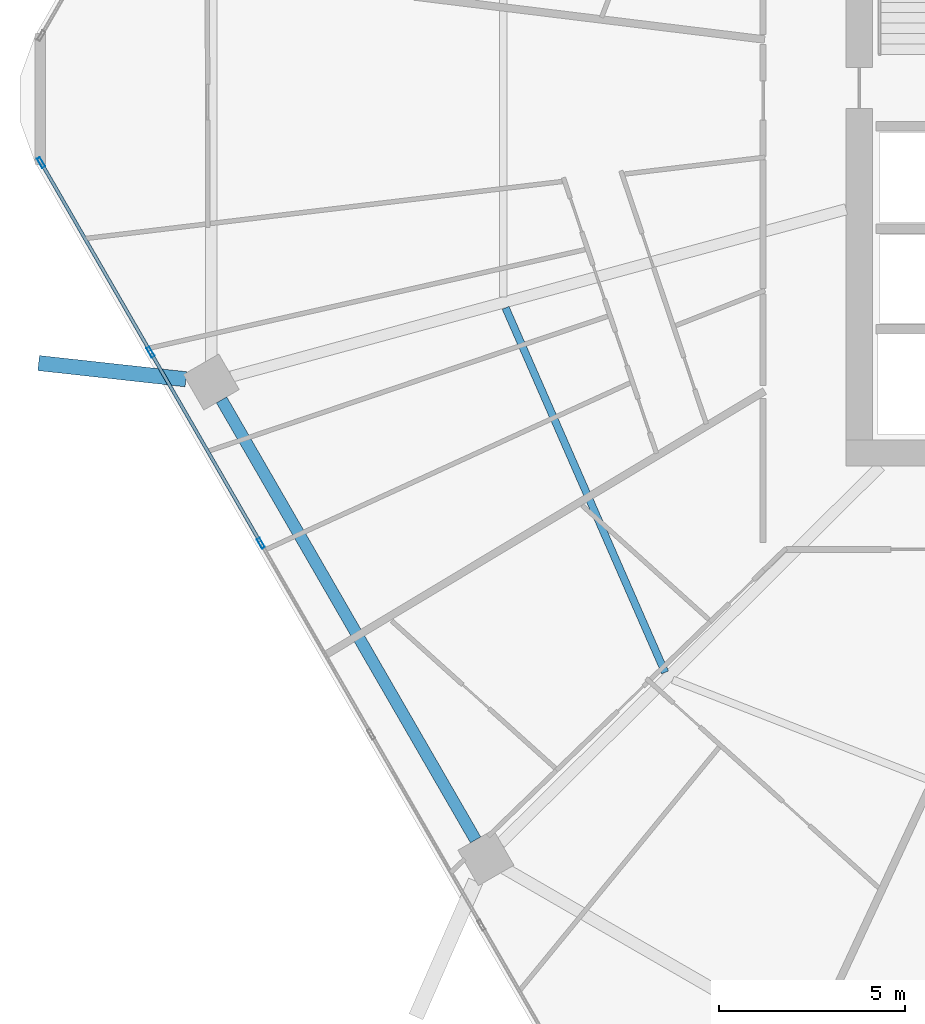
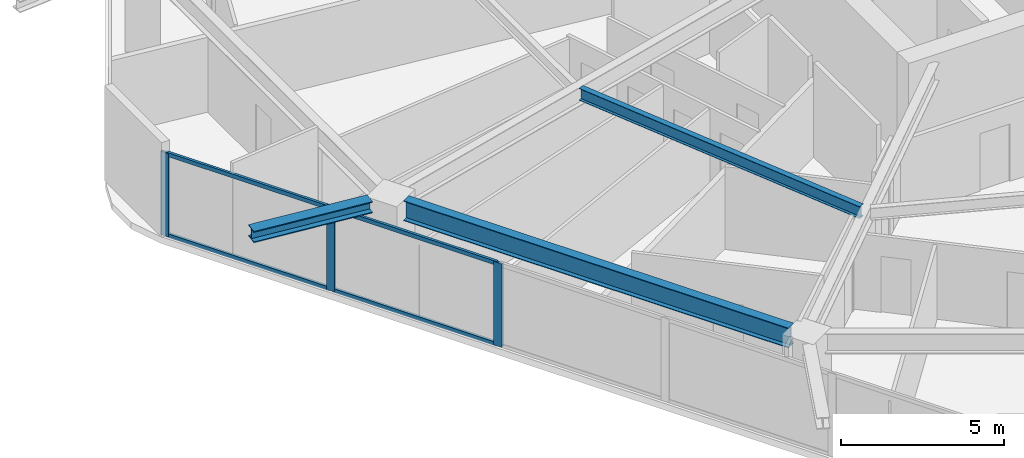
# One storey, part 5 of 33: 7 members, 3 beams, 1 element without a shape of its own.
"""IFC4 building model written with IfcOpenShell, lengths in metres."""

from ifc_helpers import new_model, si_unit, direction, frame, origin, origin_2d, place, context, subcontext, project, spatial, hollow_rectangle, i_section, extrude, material, material_profile, profile_set, type_object, element, aggregate, save


model = new_model("IFC4")

# Units and contexts
model_context = context("Model", 3, precision=1e-05, world=origin(), true_north=direction((0.0, 1.0)))
body_context = subcontext(model_context, "Body", "Model", "MODEL_VIEW")
ifc_project = project(units=[si_unit("LENGTHUNIT", "METRE"), si_unit("AREAUNIT", "SQUARE_METRE"), si_unit("VOLUMEUNIT", "CUBIC_METRE"), si_unit("PLANEANGLEUNIT", "RADIAN"), si_unit("MASSUNIT", "GRAM", prefix="KILO")], contexts=[model_context])

# Site, building, storey
site_placement = place(None, origin())
site = spatial("IfcSite", under=ifc_project, at=site_placement, CompositionType="ELEMENT")
building_placement = place(site_placement, origin())
building = spatial("IfcBuilding", under=site, at=building_placement, Name="Zuhravey Tower", CompositionType="ELEMENT")
storey_placement = place(building_placement, frame((0.0, 0.0, 103.800048828125)))
storey = spatial("IfcBuildingStorey", under=building, at=storey_placement, Name="L25", CompositionType="ELEMENT", Elevation=103.800048828125)

# Curtain wall, members
ifc_material_1 = material(Name="Thermally broken anodised aluminium", Category="aluminium")
curtain_wall_type = type_object("IfcCurtainWallType", Name="Zone 1-2 Residential Curtain Wall CW3", PredefinedType="NOTDEFINED", material=ifc_material_1)
curtain_wall_placement = place(storey_placement, origin())
curtain_wall = element("IfcCurtainWall", 1, at=curtain_wall_placement, inside=storey, type_object=curtain_wall_type, Name="L25 CW3 CW-L25-F4-1", PredefinedType="NOTDEFINED")
ifc_material_2 = material(Name="Anodised aluminium", Category="aluminium")
ifc_material_profile_1 = material_profile(ifc_material_2, hollow_rectangle(XDim=0.090087890625, YDim=0.284912109375, WallThickness=0.0048828125, at=origin_2d()), Name="ALU-RHS-90x285x5")
ifc_profile_set_1 = profile_set([ifc_material_profile_1], Name="Anodised aluminium")
member_type_1 = type_object("IfcMemberType", Name="Curtain-Wall Mullion 90x180", PredefinedType="MULLION", material=ifc_profile_set_1)
member_1_placement = place(storey_placement, frame((9.44140625, 20.083984375, 0.0), z_axis=(0.0, 0.0, 1.0), x_axis=(-0.86602552265, -0.499999794119, 0.0)))
member_1 = element("IfcMember", 2, at=member_1_placement, type_object=member_type_1, Name="CW3 mullion 4", PredefinedType="MULLION", context=body_context, shape_type="SweptSolid", body=[
    extrude(hollow_rectangle(XDim=0.090087890625, YDim=0.284912109375, WallThickness=0.0048828125, at=origin_2d()), origin(), (0.0, 0.0, 1.0), 3.1220703125),
])
member_2_placement = place(storey_placement, frame((6.4814453125, 25.210693359375, 0.0), z_axis=(0.0, 0.0, 1.0), x_axis=(-0.86602552265, -0.499999794119, 0.0)))
member_2 = element("IfcMember", 3, at=member_2_placement, type_object=member_type_1, Name="CW3 mullion 5", PredefinedType="MULLION", context=body_context, shape_type="SweptSolid", body=[
    extrude(hollow_rectangle(XDim=0.090087890625, YDim=0.284912109375, WallThickness=0.0048828125, at=origin_2d()), origin(), (0.0, 0.0, 1.0), 3.1220703125),
])
member_3_placement = place(storey_placement, frame((3.5439453125, 30.298583984375, 0.0), z_axis=(0.0, 0.0, 1.0), x_axis=(-0.86602552265, -0.499999794119, 0.0)))
member_3 = element("IfcMember", 4, at=member_3_placement, type_object=member_type_1, Name="CW3 mullion 6", PredefinedType="MULLION", context=body_context, shape_type="SweptSolid", body=[
    extrude(hollow_rectangle(XDim=0.090087890625, YDim=0.284912109375, WallThickness=0.0048828125, at=origin_2d()), origin(), (0.0, 0.0, 1.0), 3.1220703125),
])
ifc_material_profile_2 = material_profile(ifc_material_2, hollow_rectangle(XDim=0.090087890625, YDim=0.14990234375, WallThickness=0.0048828125, at=origin_2d()), Name="ALU-RHS-90x150x5")
ifc_profile_set_2 = profile_set([ifc_material_profile_2], Name="Anodised aluminium")
member_type_2 = type_object("IfcMemberType", Name="Curtain-Wall Transom 90x150", PredefinedType="USERDEFINED", material=ifc_profile_set_2)
member_4_placement = place(storey_placement, frame((9.418701171875, 20.123046875, 0.044921875), z_axis=(-0.499981042766, 0.866036348472, 0.0), x_axis=(-0.866036348472, -0.499981042766, 0.0)))
member_4 = element("IfcMember", 5, at=member_4_placement, type_object=member_type_2, Name="CW3 transom 4.1", ObjectType="TRANSOM", PredefinedType="USERDEFINED", context=body_context, shape_type="SweptSolid", body=[
    extrude(hollow_rectangle(XDim=0.090087890625, YDim=0.14990234375, WallThickness=0.0048828125, at=origin_2d()), origin(), (0.0, 0.0, 1.0), 5.829833984375),
])
member_5_placement = place(storey_placement, frame((9.418701171875, 20.123046875, 3.076904296875), z_axis=(-0.499981042766, 0.866036348472, 0.0), x_axis=(-0.866036348472, -0.499981042766, 0.0)))
member_5 = element("IfcMember", 6, at=member_5_placement, type_object=member_type_2, Name="CW3 transom 4.2", ObjectType="TRANSOM", PredefinedType="USERDEFINED", context=body_context, shape_type="SweptSolid", body=[
    extrude(hollow_rectangle(XDim=0.090087890625, YDim=0.14990234375, WallThickness=0.0048828125, at=origin_2d()), origin(), (0.0, 0.0, 1.0), 5.829833984375),
])
member_6_placement = place(storey_placement, frame((6.458984375, 25.249755859375, 0.044921875), z_axis=(-0.500024450573, 0.866011286779, 0.0), x_axis=(-0.866011286779, -0.500024450573, 0.0)))
member_6 = element("IfcMember", 7, at=member_6_placement, type_object=member_type_2, Name="CW3 transom 5.1", ObjectType="TRANSOM", PredefinedType="USERDEFINED", context=body_context, shape_type="SweptSolid", body=[
    extrude(hollow_rectangle(XDim=0.090087890625, YDim=0.14990234375, WallThickness=0.0048828125, at=origin_2d()), origin(), (0.0, 0.0, 1.0), 5.784912109375),
])
member_7_placement = place(storey_placement, frame((6.458984375, 25.249755859375, 3.076904296875), z_axis=(-0.500024450573, 0.866011286779, 0.0), x_axis=(-0.866011286779, -0.500024450573, 0.0)))
member_7 = element("IfcMember", 8, at=member_7_placement, type_object=member_type_2, Name="CW3 transom 5.2", ObjectType="TRANSOM", PredefinedType="USERDEFINED", context=body_context, shape_type="SweptSolid", body=[
    extrude(hollow_rectangle(XDim=0.090087890625, YDim=0.14990234375, WallThickness=0.0048828125, at=origin_2d()), origin(), (0.0, 0.0, 1.0), 5.784912109375),
])
aggregate(curtain_wall, [member_1, member_2, member_3, member_4, member_5, member_6, member_7])

# Beams
ifc_material_3 = material(Name="Steel SM460", Category="steel")
ifc_material_profile_3 = material_profile(ifc_material_3, i_section(OverallWidth=0.406982421875, OverallDepth=0.427978515625, WebThickness=0.02001953125, FlangeThickness=0.034912109375, at=origin_2d()), Name="H-428x407x20x35")
ifc_profile_set_3 = profile_set([ifc_material_profile_3], Name="Steel SM460")
beam_type_1 = type_object("IfcBeamType", Name="Exoskeleton Node Tie Beam H428x407", PredefinedType="BEAM", material=ifc_profile_set_3)
beam_1_placement = place(storey_placement, frame((7.4287109375, 24.4833984375, 3.3359375), z_axis=(-0.994005957907, 0.109325914797, 0.0), x_axis=(-0.109325914797, -0.994005957907, 0.0)))
element("IfcBeam", 9, at=beam_1_placement, inside=storey, type_object=beam_type_1, Name="L25 Exoskeleton Node Tie NT1-07", PredefinedType="BEAM", context=body_context, shape_type="SweptSolid", body=[
    extrude(i_section(OverallWidth=0.406982421875, OverallDepth=0.427978515625, WebThickness=0.02001953125, FlangeThickness=0.034912109375, at=origin_2d()), origin(), (0.0, 0.0, 1.0), 3.97509765625),
])
ifc_material_4 = material(Name="Steel SM355", Category="steel")
ifc_material_profile_4 = material_profile(ifc_material_4, i_section(OverallWidth=0.320068359375, OverallDepth=0.75, WebThickness=0.013916015625, FlangeThickness=0.02490234375, at=origin_2d()), Name="H-750x320x14x25")
ifc_profile_set_4 = profile_set([ifc_material_profile_4], Name="Steel SM355")
beam_type_2 = type_object("IfcBeamType", Name="Perimeter Ring Beam H750x320", PredefinedType="BEAM", material=ifc_profile_set_4)
beam_2_placement = place(storey_placement, frame((8.387451171875, 23.929443359375, 3.175048828125), z_axis=(0.500008177929, -0.866020682204, 0.0), x_axis=(0.866020682204, 0.500008177929, 0.0)))
element("IfcBeam", 10, at=beam_2_placement, inside=storey, type_object=beam_type_2, Name="L25 PB1 BM-L25-PB-07", PredefinedType="BEAM", context=body_context, shape_type="SweptSolid", body=[
    extrude(i_section(OverallWidth=0.320068359375, OverallDepth=0.75, WebThickness=0.013916015625, FlangeThickness=0.02490234375, at=origin_2d()), origin(), (0.0, 0.0, 1.0), 13.634033203125),
])
ifc_material_profile_5 = material_profile(ifc_material_4, i_section(OverallWidth=0.199951171875, OverallDepth=0.449951171875, WebThickness=0.009033203125, FlangeThickness=0.013916015625, at=origin_2d()), Name="H-450x200x9x14")
ifc_profile_set_5 = profile_set([ifc_material_profile_5], Name="Steel SM355")
beam_type_3 = type_object("IfcBeamType", Name="Secondary Floor Joist H450x200", PredefinedType="JOIST", material=ifc_profile_set_5)
beam_3_placement = place(storey_placement, frame((16.00927734375, 26.400390625, 3.324951171875), z_axis=(0.400786454617, -0.916171500209, 0.0), x_axis=(0.916171500209, 0.400786454617, 0.0)))
element("IfcBeam", 11, at=beam_3_placement, inside=storey, type_object=beam_type_3, Name="L25 SJ1 BM-L25-SJ-07-1", PredefinedType="JOIST", context=body_context, shape_type="SweptSolid", body=[
    extrude(i_section(OverallWidth=0.199951171875, OverallDepth=0.449951171875, WebThickness=0.009033203125, FlangeThickness=0.013916015625, at=origin_2d()), origin(), (0.0, 0.0, 1.0), 10.6796875),
])

save(model, "model.ifc")
